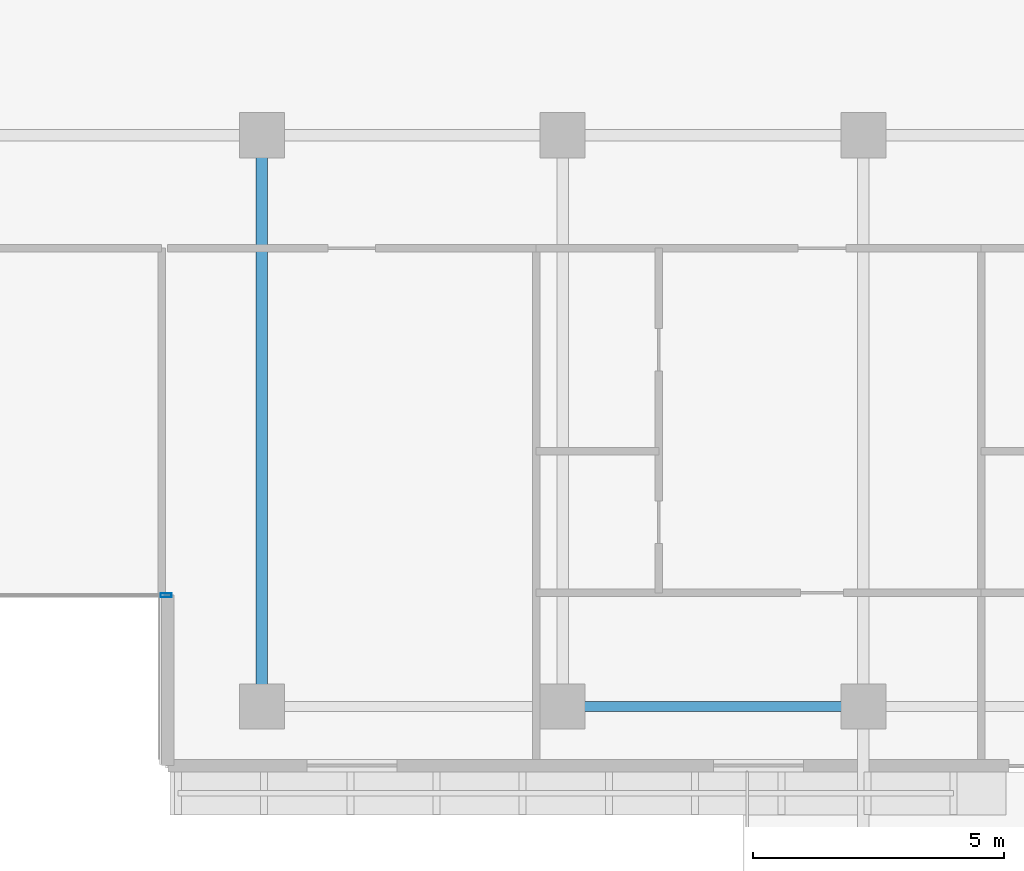
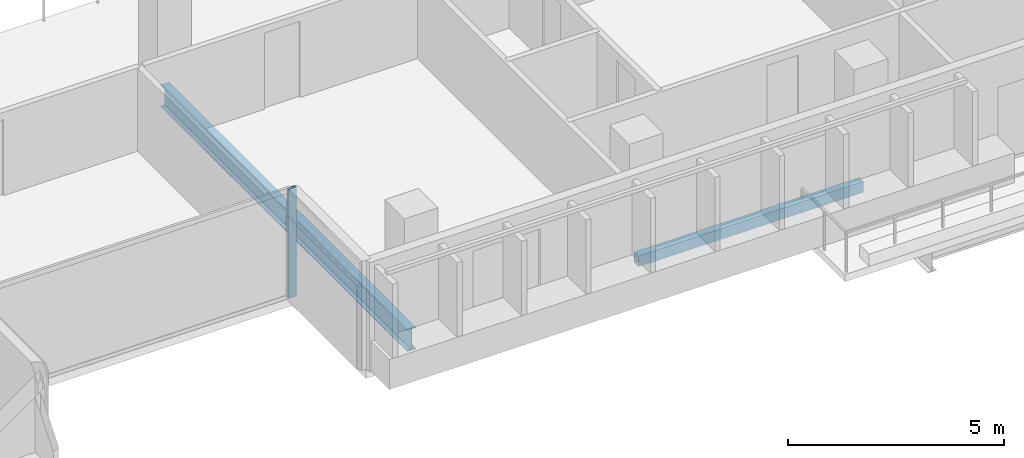
# One storey, part 4 of 21: 2 beams, 1 member, 1 element without a shape of its own.
"""IFC4 building model written with IfcOpenShell, lengths in metres."""

from ifc_helpers import new_model, si_unit, direction, frame, origin, origin_2d, place, context, subcontext, project, spatial, hollow_rectangle, i_section, extrude, material, layer, layer_set, material_profile, profile_set, type_object, element, aggregate, save


model = new_model("IFC4")

# Units and contexts
model_context = context("Model", 3, precision=1e-05, world=origin(), true_north=direction((0.0, 1.0)))
body_context = subcontext(model_context, "Body", "Model", "MODEL_VIEW")
ifc_project = project(units=[si_unit("LENGTHUNIT", "METRE"), si_unit("AREAUNIT", "SQUARE_METRE"), si_unit("VOLUMEUNIT", "CUBIC_METRE"), si_unit("PLANEANGLEUNIT", "RADIAN"), si_unit("MASSUNIT", "GRAM", prefix="KILO")], contexts=[model_context])

# Site, building, storey
site_placement = place(None, origin())
site = spatial("IfcSite", under=ifc_project, at=site_placement, CompositionType="ELEMENT")
building_placement = place(site_placement, origin())
building = spatial("IfcBuilding", under=site, at=building_placement, Name="Tanjung Sevakor Pilgrim Tower", CompositionType="ELEMENT")
storey_placement = place(building_placement, frame((0.0, 0.0, 145.199951171875)))
storey = spatial("IfcBuildingStorey", under=building, at=storey_placement, Name="L40", CompositionType="ELEMENT", Elevation=145.199951171875)

# Beams
ifc_material_1 = material(Name="Steel S355J2", Category="steel")
ifc_material_profile_1 = material_profile(ifc_material_1, i_section(OverallWidth=0.22900390625, OverallDepth=0.6123046875, WebThickness=0.011962890625, FlangeThickness=0.01953125, FilletRadius=0.0126953125, at=origin_2d()))
ifc_profile_set_1 = profile_set([ifc_material_profile_1], Name="Steel S355J2")
beam_type_1 = type_object("IfcBeamType", Name="BM-B-G4-UB_610x229x125", PredefinedType="BEAM", material=ifc_profile_set_1)
beam_1_placement = place(storey_placement, frame((54.0, 13.199951171875, -0.526123046875), z_axis=(0.0, 1.0, 0.0), x_axis=(-1.0, 0.0, 0.0)))
element("IfcBeam", 1, at=beam_1_placement, inside=storey, type_object=beam_type_1, Name="L40 MAIN Girder 006", PredefinedType="BEAM", context=body_context, shape_type="SweptSolid", body=[
    extrude(i_section(OverallWidth=0.22900390625, OverallDepth=0.6123046875, WebThickness=0.011962890625, FlangeThickness=0.01953125, FilletRadius=0.0126953125, at=origin_2d()), origin(), (0.0, 0.0, 1.0), 11.400146484375),
])
ifc_material_2 = material(Name="Steel S355J2", Category="steel")
ifc_material_profile_2 = material_profile(ifc_material_2, hollow_rectangle(XDim=0.199951171875, YDim=0.300048828125, WallThickness=0.012451171875, at=origin_2d()))
ifc_profile_set_2 = profile_set([ifc_material_profile_2], Name="Steel S355J2")
beam_type_2 = type_object("IfcBeamType", Name="BM-B-SP3-RHS_300x200x12.5", PredefinedType="SPANDREL", material=ifc_profile_set_2)
beam_2_placement = place(storey_placement, frame((60.0, 13.199951171875, -0.369873046875), z_axis=(1.0, 0.0, 0.0), x_axis=(0.0, 1.0, 0.0)))
element("IfcBeam", 2, at=beam_2_placement, inside=storey, type_object=beam_type_2, Name="L40 Spandrel MAIN S-09", PredefinedType="SPANDREL", context=body_context, shape_type="SweptSolid", body=[
    extrude(hollow_rectangle(XDim=0.199951171875, YDim=0.300048828125, WallThickness=0.012451171875, at=origin_2d()), origin(), (0.0, 0.0, 1.0), 6.0),
])

# Curtain wall, member
ifc_material_3 = material(Name="Aluminium 6063-T6 and Low-E Glass", Category="aluminium")
ifc_layer = layer(ifc_material_3, 0.179931640625)
ifc_layer_set = layer_set([ifc_layer], Name="CW-SYS-CLEFT")
curtain_wall_type = type_object("IfcCurtainWallType", Name="CW-SYS-CLEFT", PredefinedType="NOTDEFINED", material=ifc_layer_set)
curtain_wall_placement = place(storey_placement, origin())
curtain_wall = element("IfcCurtainWall", 3, at=curtain_wall_placement, inside=storey, type_object=curtain_wall_type, Name="L40 Curtain Wall CW-CLF-L40-2", PredefinedType="NOTDEFINED")
ifc_material_4 = material(Name="Aluminium 6063-T6", Category="aluminium")
ifc_material_profile_3 = material_profile(ifc_material_4, hollow_rectangle(XDim=0.074951171875, YDim=0.219970703125, WallThickness=0.0048828125, at=origin_2d()))
ifc_profile_set_3 = profile_set([ifc_material_profile_3], Name="Aluminium 6063-T6")
member_type = type_object("IfcMemberType", Name="TYPE-CWM-2", PredefinedType="MULLION", material=ifc_profile_set_3)
member_placement = place(storey_placement, frame((52.08740234375, 15.425048828125, 0.0), z_axis=(0.0, 0.0, 1.0), x_axis=(0.0, 1.0, 0.0)))
member = element("IfcMember", 4, at=member_placement, type_object=member_type, Name="CW-CLF mullion 2", PredefinedType="MULLION", context=body_context, shape_type="SweptSolid", body=[
    extrude(hollow_rectangle(XDim=0.074951171875, YDim=0.219970703125, WallThickness=0.0048828125, at=origin_2d()), origin(), (0.0, 0.0, 1.0), 3.080078125),
])
aggregate(curtain_wall, [member])

save(model, "model.ifc")
